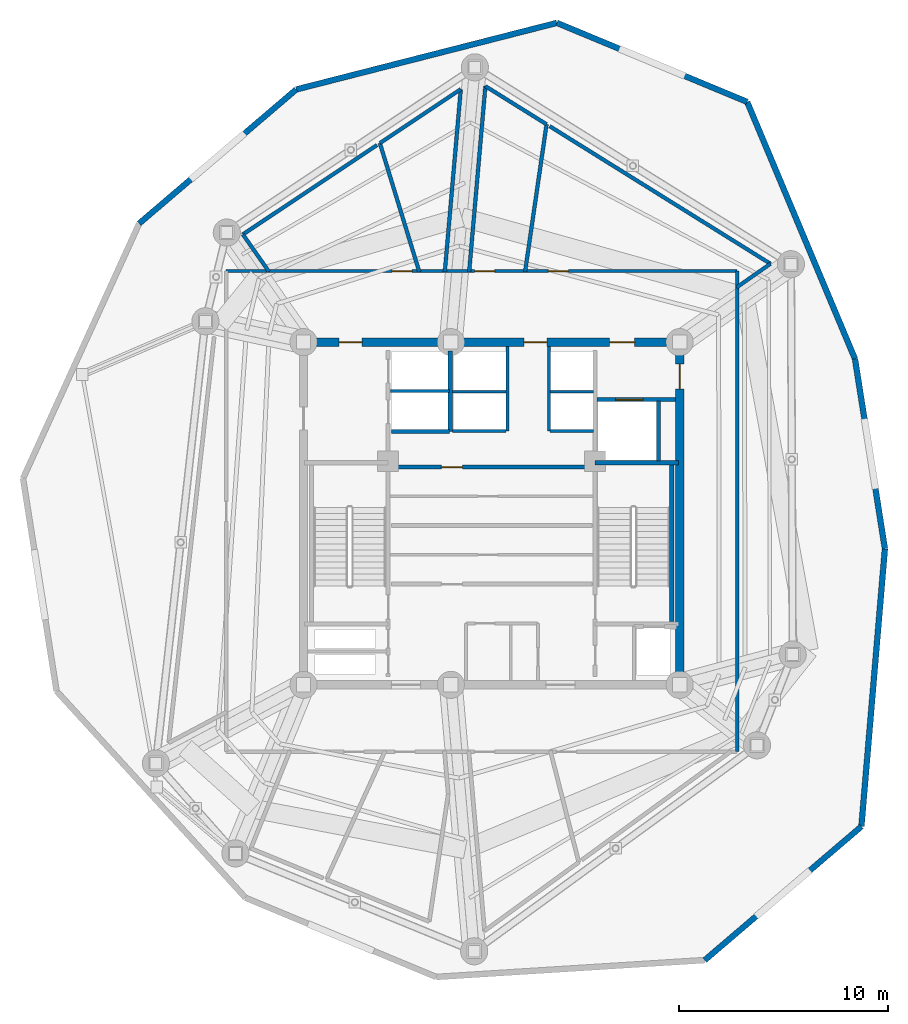
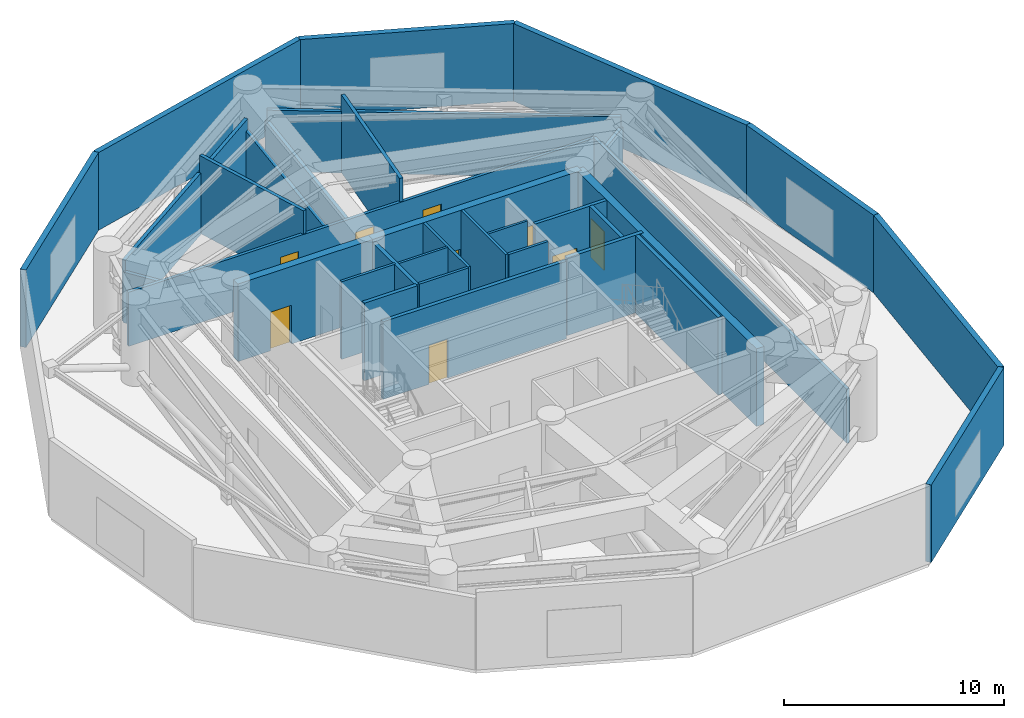
# One storey, part 7 of 11: 36 walls, 9 doors, 9 openings.
"""IFC4 building model written with IfcOpenShell, lengths in metres."""

from ifc_helpers import new_model, si_unit, direction, frame, frame_2d, origin, origin_with_axes, place, context, subcontext, project, spatial, rectangle, extrude, source, transform, mapped, material, layer, layer_set, type_object, element, fill, save


model = new_model("IFC4")

# Units and contexts
model_context = context("Model", 3, precision=1e-05, world=origin(), true_north=direction((0.0, 1.0)))
body_context = subcontext(model_context, "Body", "Model", "MODEL_VIEW")
ifc_project = project(units=[si_unit("LENGTHUNIT", "METRE"), si_unit("AREAUNIT", "SQUARE_METRE"), si_unit("VOLUMEUNIT", "CUBIC_METRE"), si_unit("PLANEANGLEUNIT", "RADIAN"), si_unit("MASSUNIT", "GRAM", prefix="KILO")], contexts=[model_context])

# Site, building, storey
site_placement = place(None, origin())
site = spatial("IfcSite", under=ifc_project, at=site_placement, CompositionType="ELEMENT")
building_placement = place(site_placement, origin())
building = spatial("IfcBuilding", under=site, at=building_placement, Name="Karkom Vertical University and Central Library", CompositionType="ELEMENT")
storey_placement = place(building_placement, frame((0.0, 0.0, 208.39990234375)))
storey = spatial("IfcBuildingStorey", under=building, at=storey_placement, Name="P61", CompositionType="ELEMENT", Elevation=208.39990234375)

# Walls
ifc_material_1 = material(Name="Brick-faced precast concrete C45/55", Category="masonry")
ifc_layer_1 = layer(ifc_material_1, 0.280029296875)
ifc_layer_set_1 = layer_set([ifc_layer_1], Name="Brick-faced precast concrete C45/55")
wall_type_1 = type_object("IfcWallType", Name="ENV-WL-BRK-280", PredefinedType="SOLIDWALL", material=ifc_layer_set_1)
wall_1_placement = place(storey_placement, frame((38.697265625, 5.121337890625, 0.0), z_axis=(0.0, 0.0, 1.0), x_axis=(0.760789005897, 0.64899929777, 0.0)))
element("IfcWall", 1, at=wall_1_placement, inside=storey, type_object=wall_type_1, Name="Plant Level 61 Brick-Faced Precast Facade Wall 05", PredefinedType="SOLIDWALL", context=body_context, shape_type="SweptSolid", body=[
    extrude(rectangle(XDim=9.8603515625, YDim=0.280029296875, at=frame_2d((4.93017578125, 0.0))), origin(), (0.0, 0.0, 1.0), 4.300048828125),
])
wall_2_placement = place(storey_placement, frame((46.198974609375, 11.520751953125, 0.0), z_axis=(0.0, 0.0, 1.0), x_axis=(0.084386088765, 0.99643313274, 0.0)))
element("IfcWall", 2, at=wall_2_placement, inside=storey, type_object=wall_type_1, Name="Plant Level 61 Brick-Faced Precast Facade Wall 06", PredefinedType="SOLIDWALL", context=body_context, shape_type="SweptSolid", body=[
    extrude(rectangle(XDim=13.33740234375, YDim=0.280029296875, at=frame_2d((6.668701171875, 0.0))), origin(), (0.0, 0.0, 1.0), 4.300048828125),
])
wall_3_placement = place(storey_placement, frame((47.324462890625, 24.810546875, 0.0), z_axis=(0.0, 0.0, 1.0), x_axis=(-0.15574865654, 0.987796717946, 0.0)))
element("IfcWall", 3, at=wall_3_placement, inside=storey, type_object=wall_type_1, Name="Plant Level 61 Brick-Faced Precast Facade Wall 07", PredefinedType="SOLIDWALL", context=body_context, shape_type="SweptSolid", body=[
    extrude(rectangle(XDim=9.201416015625, YDim=0.280029296875, at=frame_2d((4.6005859375, 0.0))), origin(), (0.0, 0.0, 1.0), 4.300048828125),
])
wall_4_placement = place(storey_placement, frame((45.891357421875, 33.899658203125, 0.0), z_axis=(0.0, 0.0, 1.0), x_axis=(-0.386897911947, 0.922122554616, 0.0)))
element("IfcWall", 4, at=wall_4_placement, inside=storey, type_object=wall_type_1, Name="Plant Level 61 Brick-Faced Precast Facade Wall 08", PredefinedType="SOLIDWALL", context=body_context, shape_type="SweptSolid", body=[
    extrude(rectangle(XDim=13.337158203125, YDim=0.280029296875, at=frame_2d((6.66845703125, 0.0))), origin(), (0.0, 0.0, 1.0), 4.300048828125),
])
wall_5_placement = place(storey_placement, frame((40.731201171875, 46.1982421875, 0.0), z_axis=(0.0, 0.0, 1.0), x_axis=(-0.92356916521, 0.383431867576, 0.0)))
element("IfcWall", 5, at=wall_5_placement, inside=storey, type_object=wall_type_1, Name="Plant Level 61 Brick-Faced Precast Facade Wall 09", PredefinedType="SOLIDWALL", context=body_context, shape_type="SweptSolid", body=[
    extrude(rectangle(XDim=9.8603515625, YDim=0.280029296875, at=frame_2d((4.93017578125, 0.0))), origin(), (0.0, 0.0, 1.0), 4.300048828125),
])
wall_6_placement = place(storey_placement, frame((31.62451171875, 49.97900390625, 0.0), z_axis=(0.0, 0.0, 1.0), x_axis=(-0.968880372011, -0.247529442153, 0.0)))
element("IfcWall", 6, at=wall_6_placement, inside=storey, type_object=wall_type_1, Name="Plant Level 61 Brick-Faced Precast Facade Wall 10", PredefinedType="SOLIDWALL", context=body_context, shape_type="SweptSolid", body=[
    extrude(rectangle(XDim=12.875244140625, YDim=0.280029296875, at=frame_2d((6.4375, 0.0))), origin(), (0.0, 0.0, 1.0), 4.300048828125),
])
wall_7_placement = place(storey_placement, frame((19.14990234375, 46.7919921875, 0.0), z_axis=(0.0, 0.0, 1.0), x_axis=(-0.760792690148, -0.648994978885, 0.0)))
element("IfcWall", 7, at=wall_7_placement, inside=storey, type_object=wall_type_1, Name="Plant Level 61 Brick-Faced Precast Facade Wall 11", PredefinedType="SOLIDWALL", context=body_context, shape_type="SweptSolid", body=[
    extrude(rectangle(XDim=9.881591796875, YDim=0.280029296875, at=frame_2d((4.94091796875, 0.0))), origin(), (0.0, 0.0, 1.0), 4.300048828125),
])

# Wall, openings, doors
ifc_material_2 = material(Name="Insulated metal-stud drywall 160mm", Category="gypsum")
ifc_layer_2 = layer(ifc_material_2, 0.159912109375)
ifc_layer_set_2 = layer_set([ifc_layer_2], Name="Insulated metal-stud drywall 160mm")
wall_type_2 = type_object("IfcWallType", Name="INT-WL-COR-160F", PredefinedType="PARTITIONING", material=ifc_layer_set_2)
wall_8_placement = place(storey_placement, frame((15.800048828125, 38.10009765625, 0.0), z_axis=(0.0, 0.0, 1.0), x_axis=(1.0, 0.0, 0.0)))
wall_8 = element("IfcWall", 8, at=wall_8_placement, inside=storey, type_object=wall_type_2, Name="Plant Level 61 Interior Partition Wall P61-PCORW-CW-003", PredefinedType="PARTITIONING", context=body_context, shape_type="SweptSolid", body=[
    extrude(rectangle(XDim=24.449951171875, YDim=0.159912109375, at=frame_2d((12.22509765625, 0.0))), origin(), (0.0, 0.0, 1.0), 3.0),
])
opening_1_placement = place(wall_8_placement, frame((15.41748046875, 0.0, 0.0)))
opening_1 = element("IfcOpeningElement", 9, at=opening_1_placement, cuts=wall_8, Name="Opening FD-RM1", PredefinedType="OPENING", context=body_context, shape_type="SweptSolid", body=[
    extrude(rectangle(XDim=0.9599609375, YDim=2.14990234375, at=frame_2d((0.47998046875, 1.074951171875))), frame((0.0, 0.08984375, 0.0), z_axis=(0.0, -1.0, 0.0), x_axis=(1.0, 0.0, 0.0)), (0.0, 0.0, 1.0), 0.179931640625),
])
opening_2_placement = place(wall_8_placement, frame((11.889892578125, 0.0, 0.0)))
opening_2 = element("IfcOpeningElement", 10, at=opening_2_placement, cuts=wall_8, Name="Opening FD-RM1", PredefinedType="OPENING", context=body_context, shape_type="SweptSolid", body=[
    extrude(rectangle(XDim=0.9599609375, YDim=2.14990234375, at=frame_2d((0.47998046875, 1.074951171875))), frame((0.0, 0.08984375, 0.0), z_axis=(0.0, -1.0, 0.0), x_axis=(1.0, 0.0, 0.0)), (0.0, 0.0, 1.0), 0.179931640625),
])
opening_3_placement = place(wall_8_placement, frame((7.9423828125, 0.0, 0.0)))
opening_3 = element("IfcOpeningElement", 11, at=opening_3_placement, cuts=wall_8, Name="Opening FD-RM1", PredefinedType="OPENING", context=body_context, shape_type="SweptSolid", body=[
    extrude(rectangle(XDim=0.9599609375, YDim=2.14990234375, at=frame_2d((0.47998046875, 1.074951171875))), frame((0.0, 0.08984375, 0.0), z_axis=(0.0, -1.0, 0.0), x_axis=(1.0, 0.0, 0.0)), (0.0, 0.0, 1.0), 0.179931640625),
])
ifc_material_3 = material(Name="Fire-rated oak veneer door", Category="wood")
door_type_1 = type_object("IfcDoorType", Name="INT-DR-FRM1", OperationType="NOTDEFINED", PredefinedType="DOOR", material=ifc_material_3)
shared_shape_1 = source(origin_with_axes(), body_context, "Body", "SweptSolid", [
    extrude(rectangle(XDim=0.9599609375, YDim=2.14990234375, at=frame_2d((0.47998046875, 1.074951171875))), frame((0.0, 0.02490234375, 0.0), z_axis=(0.0, -1.0, 0.0), x_axis=(1.0, 0.0, 0.0)), (0.0, 0.0, 1.0), 0.050048828125),
])
door_1_placement = place(opening_1_placement, origin())
door_1 = element("IfcDoor", 12, at=door_1_placement, inside=storey, type_object=door_type_1, Name="Plant Level 61 Room Entry Door 705", OperationType="SINGLE_SWING_LEFT", OverallHeight=2.14990234375, OverallWidth=0.9599609375, PredefinedType="DOOR", context=body_context, shape_type="MappedRepresentation", body=[
    mapped(shared_shape_1, transform((0.0, 0.0, 0.0), scale=1.0)),
])
fill(opening_1, door_1)
door_2_placement = place(opening_2_placement, origin())
door_2 = element("IfcDoor", 13, at=door_2_placement, inside=storey, type_object=door_type_1, Name="Plant Level 61 Room Entry Door 706", OperationType="SINGLE_SWING_RIGHT", OverallHeight=2.14990234375, OverallWidth=0.9599609375, PredefinedType="DOOR", context=body_context, shape_type="MappedRepresentation", body=[
    mapped(shared_shape_1, transform((0.0, 0.0, 0.0), scale=1.0)),
])
fill(opening_2, door_2)
door_3_placement = place(opening_3_placement, origin())
door_3 = element("IfcDoor", 14, at=door_3_placement, inside=storey, type_object=door_type_1, Name="Plant Level 61 Room Entry Door 707", OperationType="SINGLE_SWING_RIGHT", OverallHeight=2.14990234375, OverallWidth=0.9599609375, PredefinedType="DOOR", context=body_context, shape_type="MappedRepresentation", body=[
    mapped(shared_shape_1, transform((0.0, 0.0, 0.0), scale=1.0)),
])
fill(opening_3, door_3)

# Walls
wall_9_placement = place(storey_placement, frame((40.25, 38.10009765625, 0.0), z_axis=(0.0, 0.0, 1.0), x_axis=(0.0, -1.0, 0.0)))
element("IfcWall", 15, at=wall_9_placement, inside=storey, type_object=wall_type_2, Name="Plant Level 61 Interior Partition Wall P61-PCORW-CW-004", PredefinedType="PARTITIONING", context=body_context, shape_type="SweptSolid", body=[
    extrude(rectangle(XDim=23.0, YDim=0.159912109375, at=frame_2d((11.5, 0.0))), origin(), (0.0, 0.0, 1.0), 3.0),
])
ifc_material_4 = material(Name="Moisture-resistant drywall 120mm", Category="gypsum")
ifc_layer_3 = layer(ifc_material_4, 0.1201171875)
ifc_layer_set_3 = layer_set([ifc_layer_3], Name="Moisture-resistant drywall 120mm")
wall_type_3 = type_object("IfcWallType", Name="INT-WL-INT-120H", PredefinedType="PARTITIONING", material=ifc_layer_set_3)
wall_10_placement = place(storey_placement, frame((26.6201171875, 32.320068359375, 0.0), z_axis=(0.0, 0.0, 1.0), x_axis=(1.0, 0.0, 0.0)))
element("IfcWall", 16, at=wall_10_placement, inside=storey, type_object=wall_type_3, Name="Plant Level 61 Interior Partition Wall P61-CW-PH-MW", PredefinedType="PARTITIONING", context=body_context, shape_type="SweptSolid", body=[
    extrude(rectangle(XDim=2.579833984375, YDim=0.1201171875, at=frame_2d((1.2900390625, 0.0))), origin(), (0.0, 0.0, 1.0), 4.300048828125),
])
wall_11_placement = place(storey_placement, frame((31.300048828125, 32.320068359375, 0.0), z_axis=(0.0, 0.0, 1.0), x_axis=(1.0, 0.0, 0.0)))
element("IfcWall", 17, at=wall_11_placement, inside=storey, type_object=wall_type_3, Name="Plant Level 61 Interior Partition Wall P61-CW-PH-ME", PredefinedType="PARTITIONING", context=body_context, shape_type="SweptSolid", body=[
    extrude(rectangle(XDim=2.074951171875, YDim=0.1201171875, at=frame_2d((1.03759765625, 0.0))), origin(), (0.0, 0.0, 1.0), 4.300048828125),
])
ifc_material_5 = material(Name="Metal-stud gypsum partition 140mm", Category="gypsum")
ifc_layer_4 = layer(ifc_material_5, 0.139892578125)
ifc_layer_set_4 = layer_set([ifc_layer_4], Name="Metal-stud gypsum partition 140mm")
wall_type_4 = type_object("IfcWallType", Name="INT-WL-SUB-140H", PredefinedType="PARTITIONING", material=ifc_layer_set_4)
for number, where, z_axis, x_axis, name in (
    (18, (29.260009765625, 30.449951171875, 0.0), (0.0, 0.0, 1.0), (0.0, 1.0, 0.0), "Plant Level 61 Interior Partition Wall P61-CW-PH-W"),
    (19, (31.239990234375, 30.449951171875, 0.0), (0.0, 0.0, 1.0), (0.0, 1.0, 0.0), "Plant Level 61 Interior Partition Wall P61-CW-PH-E"),
):
    element("IfcWall", number, at=place(storey_placement, frame(where, z_axis=z_axis, x_axis=x_axis)), inside=storey, type_object=wall_type_4, Name=name, PredefinedType="PARTITIONING", context=body_context, shape_type="SweptSolid", body=[
        extrude(rectangle(XDim=4.04296875, YDim=0.139892578125, at=frame_2d((2.021484375, 0.0))), origin(), (0.0, 0.0, 1.0), 4.300048828125),
    ])
wall_12_placement = place(storey_placement, frame((26.6201171875, 30.449951171875, 0.0), z_axis=(0.0, 0.0, 1.0), x_axis=(1.0, 0.0, 0.0)))
element("IfcWall", 20, at=wall_12_placement, inside=storey, type_object=wall_type_4, Name="Plant Level 61 Interior Partition Wall P61-CW-PH-S1", PredefinedType="PARTITIONING", context=body_context, shape_type="SweptSolid", body=[
    extrude(rectangle(XDim=2.579833984375, YDim=0.139892578125, at=frame_2d((1.2900390625, 0.0))), origin(), (0.0, 0.0, 1.0), 4.300048828125),
])
wall_13_placement = place(storey_placement, frame((31.300048828125, 30.449951171875, 0.0), z_axis=(0.0, 0.0, 1.0), x_axis=(1.0, 0.0, 0.0)))
element("IfcWall", 21, at=wall_13_placement, inside=storey, type_object=wall_type_4, Name="Plant Level 61 Interior Partition Wall P61-CW-PH-S2", PredefinedType="PARTITIONING", context=body_context, shape_type="SweptSolid", body=[
    extrude(rectangle(XDim=2.074951171875, YDim=0.139892578125, at=frame_2d((1.03759765625, 0.0))), origin(), (0.0, 0.0, 1.0), 4.300048828125),
])
ifc_layer_5 = layer(ifc_material_5, 0.139892578125)
ifc_layer_set_5 = layer_set([ifc_layer_5], Name="Metal-stud gypsum partition 140mm")
wall_type_5 = type_object("IfcWallType", Name="INT-WL-SUB-140X", PredefinedType="PARTITIONING", material=ifc_layer_set_5)
wall_14_placement = place(storey_placement, frame((23.652099609375, 32.3701171875, 0.0), z_axis=(0.0, 0.0, 1.0), x_axis=(1.0, 0.0, 0.0)))
element("IfcWall", 22, at=wall_14_placement, inside=storey, type_object=wall_type_5, Name="Plant Level 61 Interior Partition Wall P61-CW-FFL-M", PredefinedType="PARTITIONING", context=body_context, shape_type="SweptSolid", body=[
    extrude(rectangle(XDim=2.827880859375, YDim=0.139892578125, at=frame_2d((1.4140625, 0.0))), origin(), (0.0, 0.0, 1.0), 4.300048828125),
])
ifc_material_6 = material(Name="Twin-stud acoustic drywall 180mm", Category="gypsum")
ifc_layer_6 = layer(ifc_material_6, 0.179931640625)
ifc_layer_set_6 = layer_set([ifc_layer_6], Name="Twin-stud acoustic drywall 180mm")
wall_type_6 = type_object("IfcWallType", Name="INT-WL-TEN-180F", PredefinedType="PARTITIONING", material=ifc_layer_set_6)
wall_15_placement = place(storey_placement, frame((31.279052734375, 45.03125, 0.0), z_axis=(0.0, 0.0, 1.0), x_axis=(0.848769854384, -0.528762455445, 0.0)))
element("IfcWall", 23, at=wall_15_placement, inside=storey, type_object=wall_type_6, Name="Plant Level 61 Interior Partition Wall P61-PLCHW-017", PredefinedType="PARTITIONING", context=body_context, shape_type="SweptSolid", body=[
    extrude(rectangle(XDim=12.447021484375, YDim=0.179931640625, at=frame_2d((6.2236328125, 0.0))), origin(), (0.0, 0.0, 1.0), 3.400146484375),
])
wall_16_placement = place(storey_placement, frame((27.425537109375, 38.05517578125, 0.0), z_axis=(0.0, 0.0, 1.0), x_axis=(0.087139468031, 0.996196121811, 0.0)))
element("IfcWall", 24, at=wall_16_placement, inside=storey, type_object=wall_type_6, Name="Plant Level 61 Interior Partition Wall P61-PLCHW-021", PredefinedType="PARTITIONING", context=body_context, shape_type="SweptSolid", body=[
    extrude(rectangle(XDim=8.92626953125, YDim=0.179931640625, at=frame_2d((4.463134765625, 0.0))), origin(), (0.0, 0.0, 1.0), 2.800048828125),
])
wall_17_placement = place(storey_placement, frame((27.02587890625, 46.80029296875, 0.0), z_axis=(0.0, 0.0, 1.0), x_axis=(-0.08710485024, -0.996199149299, 0.0)))
element("IfcWall", 25, at=wall_17_placement, inside=storey, type_object=wall_type_6, Name="Plant Level 61 Interior Partition Wall P61-PLCHW-019", PredefinedType="PARTITIONING", context=body_context, shape_type="SweptSolid", body=[
    extrude(rectangle(XDim=8.778564453125, YDim=0.179931640625, at=frame_2d((4.38916015625, 0.0))), origin(), (0.0, 0.0, 1.0), 2.800048828125),
])
wall_18_placement = place(storey_placement, frame((16.5986328125, 39.85498046875, 0.0), z_axis=(0.0, 0.0, 1.0), x_axis=(0.832284063484, 0.554349382313, 0.0)))
element("IfcWall", 26, at=wall_18_placement, inside=storey, type_object=wall_type_6, Name="Plant Level 61 Interior Partition Wall P61-PLCHW-026", PredefinedType="PARTITIONING", context=body_context, shape_type="SweptSolid", body=[
    extrude(rectangle(XDim=7.709716796875, YDim=0.179931640625, at=frame_2d((3.85498046875, 0.0))), origin(), (0.0, 0.0, 1.0), 3.400146484375),
])
wall_19_placement = place(storey_placement, frame((31.130859375, 45.12353515625, 0.0), z_axis=(0.0, 0.0, 1.0), x_axis=(-0.144105380013, -0.98956234743, 0.0)))
element("IfcWall", 27, at=wall_19_placement, inside=storey, type_object=wall_type_6, Name="Plant Level 61 Interior Partition Wall P61-PLCHW-023", PredefinedType="PARTITIONING", context=body_context, shape_type="SweptSolid", body=[
    extrude(rectangle(XDim=7.142578125, YDim=0.179931640625, at=frame_2d((3.5712890625, 0.0))), origin(), (0.0, 0.0, 1.0), 4.300048828125),
])
wall_20_placement = place(storey_placement, frame((25.04296875, 38.056884765625, 0.0), z_axis=(0.0, 0.0, 1.0), x_axis=(-0.292936128544, 0.956132012116, 0.0)))
element("IfcWall", 28, at=wall_20_placement, inside=storey, type_object=wall_type_6, Name="Plant Level 61 Interior Partition Wall P61-PLCHW-024", PredefinedType="PARTITIONING", context=body_context, shape_type="SweptSolid", body=[
    extrude(rectangle(XDim=6.447265625, YDim=0.179931640625, at=frame_2d((3.2236328125, 0.0))), origin(), (0.0, 0.0, 1.0), 4.300048828125),
])
wall_21_placement = place(storey_placement, frame((23.154296875, 44.221435546875, 0.0), z_axis=(0.0, 0.0, 1.0), x_axis=(0.832268234506, 0.554373146745, 0.0)))
element("IfcWall", 29, at=wall_21_placement, inside=storey, type_object=wall_type_6, Name="Plant Level 61 Interior Partition Wall P61-PLCHW-025", PredefinedType="PARTITIONING", context=body_context, shape_type="SweptSolid", body=[
    extrude(rectangle(XDim=4.65185546875, YDim=0.179931640625, at=frame_2d((2.325927734375, 0.0))), origin(), (0.0, 0.0, 1.0), 3.400146484375),
])

# Wall, opening, door
wall_22_placement = place(storey_placement, frame((33.534912109375, 31.949951171875, 0.0), z_axis=(0.0, 0.0, 1.0), x_axis=(1.0, 0.0, 0.0)))
wall_22 = element("IfcWall", 30, at=wall_22_placement, inside=storey, type_object=wall_type_6, Name="Plant Level 61 Interior Partition Wall P61-CW-SVL-N", PredefinedType="PARTITIONING", context=body_context, shape_type="SweptSolid", body=[
    extrude(rectangle(XDim=3.7587890625, YDim=0.179931640625, at=frame_2d((1.87939453125, 0.0))), origin(), (0.0, 0.0, 1.0), 4.300048828125),
])
opening_4_placement = place(wall_22_placement, frame((0.89990234375, 0.0, 0.0)))
opening_4 = element("IfcOpeningElement", 31, at=opening_4_placement, cuts=wall_22, Name="Opening LD-SV1", PredefinedType="OPENING", context=body_context, shape_type="SweptSolid", body=[
    extrude(rectangle(XDim=1.300048828125, YDim=2.199951171875, at=frame_2d((0.64990234375, 1.10009765625))), frame((0.0, 0.10009765625, 0.0), z_axis=(0.0, -1.0, 0.0), x_axis=(1.0, 0.0, 0.0)), (0.0, 0.0, 1.0), 0.199951171875),
])
ifc_material_7 = material(Name="Brushed stainless-steel landing door", Category="steel")
door_type_2 = type_object("IfcDoorType", Name="INT-DR-LD-SV1", OperationType="SLIDING_TO_LEFT", PredefinedType="DOOR", material=ifc_material_7)
shared_shape_2 = source(origin_with_axes(), body_context, "Body", "SweptSolid", [
    extrude(rectangle(XDim=1.300048828125, YDim=2.199951171875, at=frame_2d((0.64990234375, 1.10009765625))), frame((0.0, 0.02490234375, 0.0), z_axis=(0.0, -1.0, 0.0), x_axis=(1.0, 0.0, 0.0)), (0.0, 0.0, 1.0), 0.050048828125),
])
door_4_placement = place(opening_4_placement, origin())
door_4 = element("IfcDoor", 32, at=door_4_placement, inside=storey, type_object=door_type_2, Name="Plant Level 61 Service Lift Landing Door LD-SV1", OperationType="SLIDING_TO_LEFT", OverallHeight=2.199951171875, OverallWidth=1.300048828125, PredefinedType="DOOR", context=body_context, shape_type="MappedRepresentation", body=[
    mapped(shared_shape_2, transform((0.0, 0.0, 0.0), scale=1.0)),
])
fill(opening_4, door_4)

# Walls
wall_23_placement = place(storey_placement, frame((28.203369140625, 46.947509765625, 0.0), z_axis=(0.0, 0.0, 1.0), x_axis=(0.848741072859, -0.528808652767, 0.0)))
element("IfcWall", 33, at=wall_23_placement, inside=storey, type_object=wall_type_6, Name="Plant Level 61 Interior Partition Wall P61-PLCHW-022", PredefinedType="PARTITIONING", context=body_context, shape_type="SweptSolid", body=[
    extrude(rectangle(XDim=3.44921875, YDim=0.179931640625, at=frame_2d((1.724609375, 0.0))), origin(), (0.0, 0.0, 1.0), 3.400146484375),
])
wall_24_placement = place(storey_placement, frame((17.844482421875, 38.075439453125, 0.0), z_axis=(0.0, 0.0, 1.0), x_axis=(-0.573515142828, 0.819194959058, 0.0)))
element("IfcWall", 34, at=wall_24_placement, inside=storey, type_object=wall_type_6, Name="Plant Level 61 Interior Partition Wall P61-PLCHW-028", PredefinedType="PARTITIONING", context=body_context, shape_type="SweptSolid", body=[
    extrude(rectangle(XDim=2.17236328125, YDim=0.179931640625, at=frame_2d((1.086181640625, 0.0))), origin(), (0.0, 0.0, 1.0), 2.800048828125),
])
wall_25_placement = place(storey_placement, frame((41.84375, 38.44970703125, 0.0), z_axis=(0.0, 0.0, 1.0), x_axis=(-0.819133219737, -0.573603319659, 0.0)))
element("IfcWall", 35, at=wall_25_placement, inside=storey, type_object=wall_type_6, Name="Plant Level 61 Interior Partition Wall P61-PLCHW-018", PredefinedType="PARTITIONING", context=body_context, shape_type="SweptSolid", body=[
    extrude(rectangle(XDim=1.975830078125, YDim=0.179931640625, at=frame_2d((0.98779296875, 0.0))), origin(), (0.0, 0.0, 1.0), 2.800048828125),
])

# Wall, opening, door
ifc_material_8 = material(Name="Concrete C50/60", Category="concrete")
ifc_layer_7 = layer(ifc_material_8, 0.39990234375)
ifc_layer_set_7 = layer_set([ifc_layer_7], Name="Concrete C50/60")
wall_type_7 = type_object("IfcWallType", Name="STR-WL-CW-400", PredefinedType="SHEAR", material=ifc_layer_set_7)
wall_26_placement = place(storey_placement, frame((37.5, 18.300048828125, 0.0), z_axis=(0.0, 0.0, 1.0), x_axis=(0.0, 1.0, 0.0)))
wall_26 = element("IfcWall", 36, at=wall_26_placement, inside=storey, type_object=wall_type_7, Name="Plant Level 61 Central Core Shear Wall EW", PredefinedType="SHEAR", context=body_context, shape_type="SweptSolid", body=[
    extrude(rectangle(XDim=16.39990234375, YDim=0.39990234375, at=frame_2d((8.199951171875, 0.0))), origin(), (0.0, 0.0, 1.0), 4.300048828125),
])
opening_5_placement = place(wall_26_placement, frame((14.14990234375, 0.0, 0.0)))
opening_5 = element("IfcOpeningElement", 37, at=opening_5_placement, cuts=wall_26, Name="Opening FD-SUB1", PredefinedType="OPENING", context=body_context, shape_type="SweptSolid", body=[
    extrude(rectangle(XDim=1.199951171875, YDim=2.14990234375, at=frame_2d((0.60009765625, 1.074951171875))), frame((0.0, 0.2099609375, 0.0), z_axis=(0.0, -1.0, 0.0), x_axis=(1.0, 0.0, 0.0)), (0.0, 0.0, 1.0), 0.419921875),
])
ifc_material_9 = material(Name="Painted steel fire door", Category="steel")
door_type_3 = type_object("IfcDoorType", Name="INT-DR-SUB1", OperationType="NOTDEFINED", PredefinedType="DOOR", material=ifc_material_9)
shared_shape_3 = source(origin_with_axes(), body_context, "Body", "SweptSolid", [
    extrude(rectangle(XDim=1.199951171875, YDim=2.14990234375, at=frame_2d((0.60009765625, 1.074951171875))), frame((0.0, 0.02490234375, 0.0), z_axis=(0.0, -1.0, 0.0), x_axis=(1.0, 0.0, 0.0)), (0.0, 0.0, 1.0), 0.050048828125),
])
door_5_placement = place(opening_5_placement, origin())
door_5 = element("IfcDoor", 38, at=door_5_placement, inside=storey, type_object=door_type_3, Name="Plant Level 61 East Corridor Service Lobby Door", OperationType="SINGLE_SWING_LEFT", OverallHeight=2.14990234375, OverallWidth=1.199951171875, PredefinedType="DOOR", context=body_context, shape_type="MappedRepresentation", body=[
    mapped(shared_shape_3, transform((0.0, 0.0, 0.0), scale=1.0)),
])
fill(opening_5, door_5)

# Wall, openings, doors
wall_27_placement = place(storey_placement, frame((37.5, 34.699951171875, 0.0), z_axis=(0.0, 0.0, 1.0), x_axis=(-1.0, 0.0, 0.0)))
wall_27 = element("IfcWall", 39, at=wall_27_placement, inside=storey, type_object=wall_type_7, Name="Plant Level 61 Central Core Shear Wall NW1", PredefinedType="SHEAR", context=body_context, shape_type="SweptSolid", body=[
    extrude(rectangle(XDim=10.949951171875, YDim=0.39990234375, at=frame_2d((5.47509765625, 0.0))), origin(), (0.0, 0.0, 1.0), 4.300048828125),
])
opening_6_placement = place(wall_27_placement, frame((2.14990234375, 0.0, 0.0)))
opening_6 = element("IfcOpeningElement", 40, at=opening_6_placement, cuts=wall_27, Name="Opening FD-SUB1", PredefinedType="OPENING", context=body_context, shape_type="SweptSolid", body=[
    extrude(rectangle(XDim=1.199951171875, YDim=2.14990234375, at=frame_2d((0.60009765625, 1.074951171875))), frame((0.0, 0.2099609375, 0.0), z_axis=(0.0, -1.0, 0.0), x_axis=(1.0, 0.0, 0.0)), (0.0, 0.0, 1.0), 0.419921875),
])
opening_7_placement = place(wall_27_placement, frame((6.35009765625, 0.0, 0.0)))
opening_7 = element("IfcOpeningElement", 41, at=opening_7_placement, cuts=wall_27, Name="Opening FD-FFL", PredefinedType="OPENING", context=body_context, shape_type="SweptSolid", body=[
    extrude(rectangle(XDim=1.10009765625, YDim=2.14990234375, at=frame_2d((0.550048828125, 1.074951171875))), frame((0.0, 0.2099609375, 0.0), z_axis=(0.0, -1.0, 0.0), x_axis=(1.0, 0.0, 0.0)), (0.0, 0.0, 1.0), 0.419921875),
])
ifc_material_10 = material(Name="Painted steel smoke-seal fire door", Category="steel")
door_type_4 = type_object("IfcDoorType", Name="INT-DR-FFL", OperationType="NOTDEFINED", PredefinedType="DOOR", material=ifc_material_10)
shared_shape_4 = source(origin_with_axes(), body_context, "Body", "SweptSolid", [
    extrude(rectangle(XDim=1.10009765625, YDim=2.14990234375, at=frame_2d((0.550048828125, 1.074951171875))), frame((0.0, 0.02490234375, 0.0), z_axis=(0.0, -1.0, 0.0), x_axis=(1.0, 0.0, 0.0)), (0.0, 0.0, 1.0), 0.050048828125),
])
door_6_placement = place(opening_7_placement, origin())
door_6 = element("IfcDoor", 42, at=door_6_placement, inside=storey, type_object=door_type_4, Name="Plant Level 61 North Core Lobby Exit Door", OperationType="SINGLE_SWING_RIGHT", OverallHeight=2.14990234375, OverallWidth=1.10009765625, PredefinedType="DOOR", context=body_context, shape_type="MappedRepresentation", body=[
    mapped(shared_shape_4, transform((0.0, 0.0, 0.0), scale=1.0)),
])
fill(opening_7, door_6)
door_7_placement = place(opening_6_placement, origin())
door_7 = element("IfcDoor", 43, at=door_7_placement, inside=storey, type_object=door_type_3, Name="Plant Level 61 Service Lobby Fire Door", OperationType="SINGLE_SWING_RIGHT", OverallHeight=2.14990234375, OverallWidth=1.199951171875, PredefinedType="DOOR", context=body_context, shape_type="MappedRepresentation", body=[
    mapped(shared_shape_3, transform((0.0, 0.0, 0.0), scale=1.0)),
])
fill(opening_6, door_7)

# Wall, opening, door
wall_28_placement = place(storey_placement, frame((26.550048828125, 34.699951171875, 0.0), z_axis=(0.0, 0.0, 1.0), x_axis=(-1.0, 0.0, 0.0)))
wall_28 = element("IfcWall", 44, at=wall_28_placement, inside=storey, type_object=wall_type_7, Name="Plant Level 61 Central Core Shear Wall NW2", PredefinedType="SHEAR", context=body_context, shape_type="SweptSolid", body=[
    extrude(rectangle(XDim=7.050048828125, YDim=0.39990234375, at=frame_2d((3.52490234375, 0.0))), origin(), (0.0, 0.0, 1.0), 4.300048828125),
])
opening_8_placement = place(wall_28_placement, frame((4.25, 0.0, 0.0)))
opening_8 = element("IfcOpeningElement", 45, at=opening_8_placement, cuts=wall_28, Name="Opening FD-FFL", PredefinedType="OPENING", context=body_context, shape_type="SweptSolid", body=[
    extrude(rectangle(XDim=1.10009765625, YDim=2.14990234375, at=frame_2d((0.550048828125, 1.074951171875))), frame((0.0, 0.2099609375, 0.0), z_axis=(0.0, -1.0, 0.0), x_axis=(1.0, 0.0, 0.0)), (0.0, 0.0, 1.0), 0.419921875),
])
door_8_placement = place(opening_8_placement, origin())
door_8 = element("IfcDoor", 46, at=door_8_placement, inside=storey, type_object=door_type_4, Name="Plant Level 61 Firefighting Lobby Door", OperationType="SINGLE_SWING_LEFT", OverallHeight=2.14990234375, OverallWidth=1.10009765625, PredefinedType="DOOR", context=body_context, shape_type="MappedRepresentation", body=[
    mapped(shared_shape_4, transform((0.0, 0.0, 0.0), scale=1.0)),
])
fill(opening_8, door_8)

ifc_material_11 = material(Name="Concrete C45/55", Category="concrete")
ifc_layer_8 = layer(ifc_material_11, 0.199951171875)
ifc_layer_set_8 = layer_set([ifc_layer_8], Name="Concrete C45/55")
wall_type_8 = type_object("IfcWallType", Name="STR-WL-ST-200", PredefinedType="SHEAR", material=ifc_layer_set_8)
wall_29_placement = place(storey_placement, frame((23.699951171875, 28.719970703125, 0.0), z_axis=(0.0, 0.0, 1.0), x_axis=(1.0, 0.0, 0.0)))
wall_29 = element("IfcWall", 47, at=wall_29_placement, inside=storey, type_object=wall_type_8, Name="Plant Level 61 Core Shaft Wall P61-CW-B2-N", PredefinedType="SHEAR", context=body_context, shape_type="SweptSolid", body=[
    extrude(rectangle(XDim=9.60009765625, YDim=0.199951171875, at=frame_2d((4.800048828125, 0.0))), origin(), (0.0, 0.0, 1.0), 4.300048828125),
])
opening_9_placement = place(wall_29_placement, frame((2.39990234375, 0.0, 0.0)))
opening_9 = element("IfcOpeningElement", 48, at=opening_9_placement, cuts=wall_29, Name="Opening D-STR1", PredefinedType="OPENING", context=body_context, shape_type="SweptSolid", body=[
    extrude(rectangle(XDim=1.0, YDim=2.14990234375, at=frame_2d((0.5, 1.074951171875))), frame((0.0, 0.10986328125, 0.0), z_axis=(0.0, -1.0, 0.0), x_axis=(1.0, 0.0, 0.0)), (0.0, 0.0, 1.0), 0.219970703125),
])
ifc_material_12 = material(Name="Solid-core hardwood fire door", Category="wood")
door_type_5 = type_object("IfcDoorType", Name="INT-DR-STR1", OperationType="NOTDEFINED", PredefinedType="DOOR", material=ifc_material_12)
shared_shape_5 = source(origin_with_axes(), body_context, "Body", "SweptSolid", [
    extrude(rectangle(XDim=1.0, YDim=2.14990234375, at=frame_2d((0.5, 1.074951171875))), frame((0.0, 0.02490234375, 0.0), z_axis=(0.0, -1.0, 0.0), x_axis=(1.0, 0.0, 0.0)), (0.0, 0.0, 1.0), 0.050048828125),
])
door_9_placement = place(opening_9_placement, origin())
door_9 = element("IfcDoor", 49, at=door_9_placement, inside=storey, type_object=door_type_5, Name="Plant Level 61 B2 Archive Strip Door", OperationType="SINGLE_SWING_RIGHT", OverallHeight=2.14990234375, OverallWidth=1.0, PredefinedType="DOOR", context=body_context, shape_type="MappedRepresentation", body=[
    mapped(shared_shape_5, transform((0.0, 0.0, 0.0), scale=1.0)),
])
fill(opening_9, door_9)

# Walls
wall_30_placement = place(storey_placement, frame((37.125, 21.320068359375, 0.0), z_axis=(0.0, 0.0, 1.0), x_axis=(0.0, 1.0, 0.0)))
element("IfcWall", 50, at=wall_30_placement, inside=storey, type_object=wall_type_8, Name="Plant Level 61 Core Shaft Wall P61-CW-ST2-E", PredefinedType="SHEAR", context=body_context, shape_type="SweptSolid", body=[
    extrude(rectangle(XDim=7.5, YDim=0.199951171875, at=frame_2d((3.75, 0.0))), origin(), (0.0, 0.0, 1.0), 4.300048828125),
])
wall_31_placement = place(storey_placement, frame((33.455078125, 28.925048828125, 0.0), z_axis=(0.0, 0.0, 1.0), x_axis=(1.0, 0.0, 0.0)))
element("IfcWall", 51, at=wall_31_placement, inside=storey, type_object=wall_type_8, Name="Plant Level 61 Core Shaft Wall P61-CW-ST2-N", PredefinedType="SHEAR", context=body_context, shape_type="SweptSolid", body=[
    extrude(rectangle(XDim=3.994873046875, YDim=0.199951171875, at=frame_2d((1.99755859375, 0.0))), origin(), (0.0, 0.0, 1.0), 4.300048828125),
])
wall_32_placement = place(storey_placement, frame((26.52001953125, 30.419921875, 0.0), z_axis=(0.0, 0.0, 1.0), x_axis=(0.0, 1.0, 0.0)))
element("IfcWall", 52, at=wall_32_placement, inside=storey, type_object=wall_type_8, Name="Plant Level 61 Core Shaft Wall P61-CW-FFL-E", PredefinedType="SHEAR", context=body_context, shape_type="SweptSolid", body=[
    extrude(rectangle(XDim=3.860107421875, YDim=0.199951171875, at=frame_2d((1.93017578125, 0.0))), origin(), (0.0, 0.0, 1.0), 4.300048828125),
])
wall_33_placement = place(storey_placement, frame((36.47998046875, 29.02001953125, 0.0), z_axis=(0.0, 0.0, 1.0), x_axis=(0.0, 1.0, 0.0)))
element("IfcWall", 53, at=wall_33_placement, inside=storey, type_object=wall_type_8, Name="Plant Level 61 Core Shaft Wall P61-CW-SVL-E", PredefinedType="SHEAR", context=body_context, shape_type="SweptSolid", body=[
    extrude(rectangle(XDim=2.85986328125, YDim=0.199951171875, at=frame_2d((1.429931640625, 0.0))), origin(), (0.0, 0.0, 1.0), 4.300048828125),
])
wall_34_placement = place(storey_placement, frame((23.699951171875, 30.419921875, 0.0), z_axis=(0.0, 0.0, 1.0), x_axis=(1.0, 0.0, 0.0)))
element("IfcWall", 54, at=wall_34_placement, inside=storey, type_object=wall_type_8, Name="Plant Level 61 Core Shaft Wall P61-CW-FFL-S", PredefinedType="SHEAR", context=body_context, shape_type="SweptSolid", body=[
    extrude(rectangle(XDim=2.780029296875, YDim=0.199951171875, at=frame_2d((1.39013671875, 0.0))), origin(), (0.0, 0.0, 1.0), 4.300048828125),
])

save(model, "model.ifc")
